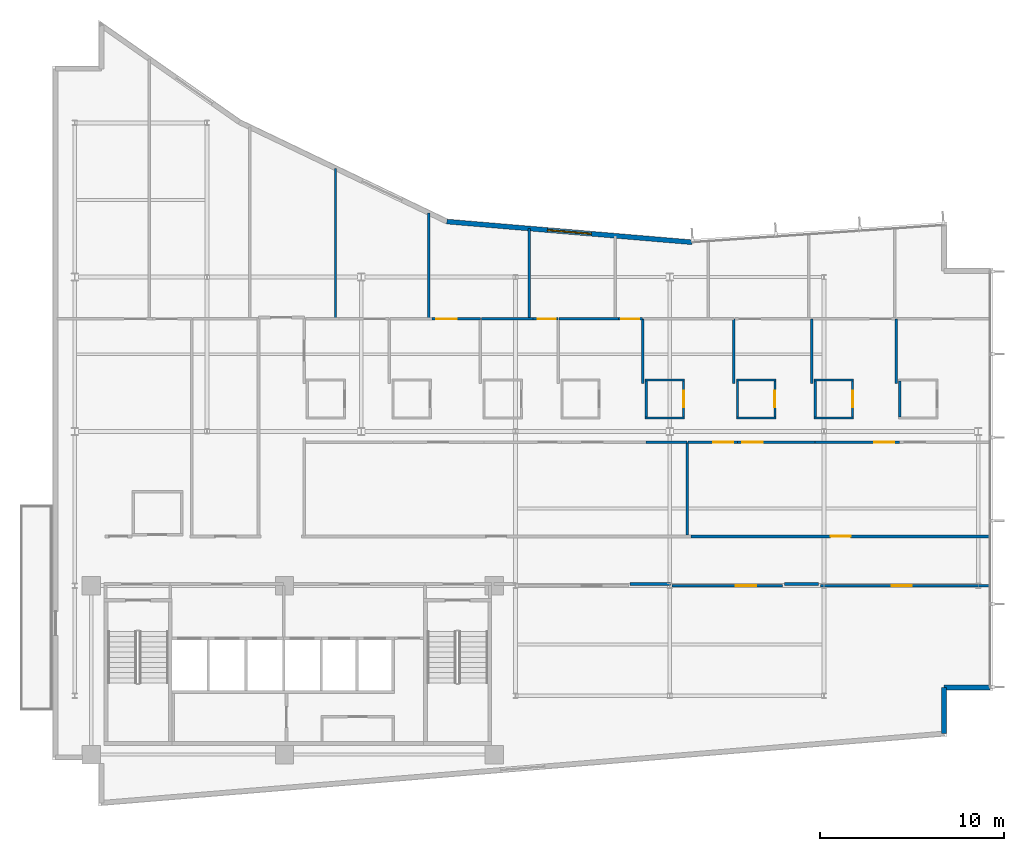
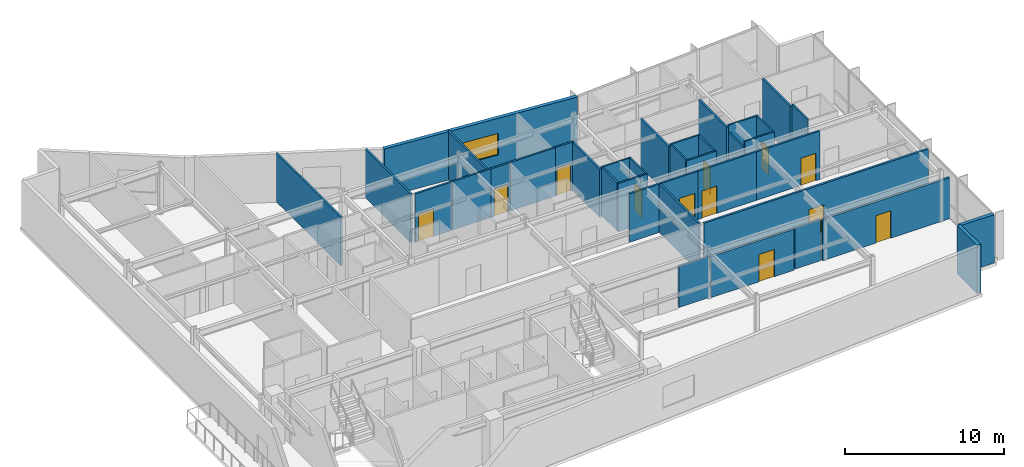
# One storey, part 13 of 17: 38 walls, 12 doors, 1 window, 13 openings.
"""IFC4 building model written with IfcOpenShell, lengths in metres."""

from ifc_helpers import new_model, si_unit, direction, frame, frame_2d, origin, place, context, subcontext, project, spatial, rectangle, extrude, material, layer, layer_set, type_object, element, fill, save


model = new_model("IFC4")

# Units and contexts
model_context = context("Model", 3, precision=1e-05, world=origin(), true_north=direction((0.0, 1.0)))
body_context = subcontext(model_context, "Body", "Model", "MODEL_VIEW")
ifc_project = project(units=[si_unit("LENGTHUNIT", "METRE"), si_unit("AREAUNIT", "SQUARE_METRE"), si_unit("VOLUMEUNIT", "CUBIC_METRE"), si_unit("PLANEANGLEUNIT", "RADIAN"), si_unit("MASSUNIT", "GRAM", prefix="KILO")], contexts=[model_context])

# Site, building, storey
site_placement = place(None, origin())
site = spatial("IfcSite", under=ifc_project, at=site_placement, CompositionType="ELEMENT")
building_placement = place(site_placement, origin())
building = spatial("IfcBuilding", under=site, at=building_placement, Name="Varnakote Quay Hospital", CompositionType="ELEMENT")
storey_placement = place(building_placement, frame((0.0, 0.0, 219.75)))
storey = spatial("IfcBuildingStorey", under=building, at=storey_placement, Name="L54", CompositionType="ELEMENT", Elevation=219.75)

# Walls
ifc_material_1 = material(Name="Fire-rated acoustic gypsum stud wall", Category="gypsum")
ifc_layer_1 = layer(ifc_material_1, 0.159912109375)
ifc_layer_set_1 = layer_set([ifc_layer_1], Name="Fire-rated acoustic gypsum stud wall")
wall_type_1 = type_object("IfcWallType", Name="WL-COMP-160", PredefinedType="PARTITIONING", material=ifc_layer_set_1)
wall_1_placement = place(storey_placement, frame((31.439208984375, 12.080078125, 0.0), z_axis=(0.0, 0.0, 1.0), x_axis=(1.0, 0.0, 0.0)))
element("IfcWall", 1, at=wall_1_placement, inside=storey, type_object=wall_type_1, Name="L54 Corridor South Gap Wall", PredefinedType="PARTITIONING", context=body_context, shape_type="SweptSolid", body=[
    extrude(rectangle(XDim=2.199462890625, YDim=0.159912109375, at=frame_2d((1.099609375, 0.0))), origin(), (0.0, 0.0, 1.0), 3.152099609375),
])
wall_2_placement = place(storey_placement, frame((39.83935546875, 12.080078125, 0.0), z_axis=(0.0, 0.0, 1.0), x_axis=(1.0, 0.0, 0.0)))
element("IfcWall", 2, at=wall_2_placement, inside=storey, type_object=wall_type_1, Name="L54 Corridor South Gap Wall", PredefinedType="PARTITIONING", context=body_context, shape_type="SweptSolid", body=[
    extrude(rectangle(XDim=1.871337890625, YDim=0.159912109375, at=frame_2d((0.935546875, 0.0))), origin(), (0.0, 0.0, 1.0), 3.152099609375),
])
ifc_material_2 = material(Name="Moisture-resistant bathroom partition", Category="gypsum")
ifc_layer_2 = layer(ifc_material_2, 0.114990234375)
ifc_layer_set_2 = layer_set([ifc_layer_2], Name="Moisture-resistant bathroom partition")
wall_type_2 = type_object("IfcWallType", Name="WL-ENS-115", PredefinedType="PARTITIONING", material=ifc_layer_set_2)
for number, where, z_axis, x_axis, name in (
    (3, (32.264892578125, 21.132568359375, 0.0), (0.0, 0.0, 1.0), (1.0, 0.0, 0.0), "L54 Inpatient En-Suite Bathroom 05 S Wall"),
    (4, (32.264892578125, 23.197509765625, 0.0), (0.0, 0.0, 1.0), (1.0, 0.0, 0.0), "L54 Inpatient En-Suite Bathroom 05 N Wall"),
):
    element("IfcWall", number, at=place(storey_placement, frame(where, z_axis=z_axis, x_axis=x_axis)), inside=storey, type_object=wall_type_2, Name=name, PredefinedType="PARTITIONING", context=body_context, shape_type="SweptSolid", body=[
        extrude(rectangle(XDim=2.150146484375, YDim=0.114990234375, at=frame_2d((1.0751953125, 0.0))), origin(), (0.0, 0.0, 1.0), 3.7099609375),
    ])
wall_3_placement = place(storey_placement, frame((32.322509765625, 21.18994140625, 0.0), z_axis=(0.0, 0.0, 1.0), x_axis=(0.0, 1.0, 0.0)))
element("IfcWall", 5, at=wall_3_placement, inside=storey, type_object=wall_type_2, Name="L54 Inpatient En-Suite Bathroom 05 W Wall", PredefinedType="PARTITIONING", context=body_context, shape_type="SweptSolid", body=[
    extrude(rectangle(XDim=1.949951171875, YDim=0.114990234375, at=frame_2d((0.97509765625, 0.0))), origin(), (0.0, 0.0, 1.0), 3.7099609375),
])

# Wall, opening, door
wall_4_placement = place(storey_placement, frame((34.357421875, 21.18994140625, 0.0), z_axis=(0.0, 0.0, 1.0), x_axis=(0.0, 1.0, 0.0)))
wall_4 = element("IfcWall", 6, at=wall_4_placement, inside=storey, type_object=wall_type_2, Name="L54 Inpatient En-Suite Bathroom 05 E Wall", PredefinedType="PARTITIONING", context=body_context, shape_type="SweptSolid", body=[
    extrude(rectangle(XDim=1.949951171875, YDim=0.114990234375, at=frame_2d((0.97509765625, 0.0))), origin(), (0.0, 0.0, 1.0), 3.7099609375),
])
opening_1_placement = place(wall_4_placement, frame((0.514892578125, 0.0, 0.0)))
opening_1 = element("IfcOpeningElement", 7, at=opening_1_placement, cuts=wall_4, Name="Opening D-L54-ENS05", PredefinedType="OPENING", context=body_context, shape_type="SweptSolid", body=[
    extrude(rectangle(XDim=0.919921875, YDim=2.10009765625, at=frame_2d((0.4599609375, 1.050048828125))), frame((0.0, 0.0673828125, 0.0), z_axis=(0.0, -1.0, 0.0), x_axis=(1.0, 0.0, 0.0)), (0.0, 0.0, 1.0), 0.135009765625),
])
ifc_material_3 = material(Name="Moisture-sealed en-suite bathroom door")
door_type_1 = type_object("IfcDoorType", Name="DR-ENS-920x2100", OperationType="NOTDEFINED", PredefinedType="DOOR", material=ifc_material_3)
door_1_placement = place(opening_1_placement, origin())
door_1 = element("IfcDoor", 8, at=door_1_placement, inside=storey, type_object=door_type_1, Name="L54 Inpatient En-Suite Bathroom 05 Door", OperationType="SINGLE_SWING_LEFT", OverallHeight=2.10009765625, OverallWidth=0.919921875, PredefinedType="DOOR", context=body_context, shape_type="SweptSolid", body=[
    extrude(rectangle(XDim=0.919921875, YDim=2.10009765625, at=frame_2d((0.4599609375, 1.050048828125))), frame((0.0, 0.02490234375, 0.0), z_axis=(0.0, -1.0, 0.0), x_axis=(1.0, 0.0, 0.0)), (0.0, 0.0, 1.0), 0.050048828125),
])
fill(opening_1, door_1)

# Walls
for number, where, z_axis, x_axis, name in (
    (9, (37.235107421875, 21.132568359375, 0.0), (0.0, 0.0, 1.0), (1.0, 0.0, 0.0), "L54 Inpatient En-Suite Bathroom 06 S Wall"),
    (10, (37.235107421875, 23.197509765625, 0.0), (0.0, 0.0, 1.0), (1.0, 0.0, 0.0), "L54 Inpatient En-Suite Bathroom 06 N Wall"),
):
    element("IfcWall", number, at=place(storey_placement, frame(where, z_axis=z_axis, x_axis=x_axis)), inside=storey, type_object=wall_type_2, Name=name, PredefinedType="PARTITIONING", context=body_context, shape_type="SweptSolid", body=[
        extrude(rectangle(XDim=2.14990234375, YDim=0.114990234375, at=frame_2d((1.074951171875, 0.0))), origin(), (0.0, 0.0, 1.0), 3.7099609375),
    ])
wall_5_placement = place(storey_placement, frame((37.29248046875, 21.18994140625, 0.0), z_axis=(0.0, 0.0, 1.0), x_axis=(0.0, 1.0, 0.0)))
element("IfcWall", 11, at=wall_5_placement, inside=storey, type_object=wall_type_2, Name="L54 Inpatient En-Suite Bathroom 06 W Wall", PredefinedType="PARTITIONING", context=body_context, shape_type="SweptSolid", body=[
    extrude(rectangle(XDim=1.949951171875, YDim=0.114990234375, at=frame_2d((0.97509765625, 0.0))), origin(), (0.0, 0.0, 1.0), 3.7099609375),
])

# Wall, opening, door
wall_6_placement = place(storey_placement, frame((39.327392578125, 21.18994140625, 0.0), z_axis=(0.0, 0.0, 1.0), x_axis=(0.0, 1.0, 0.0)))
wall_6 = element("IfcWall", 12, at=wall_6_placement, inside=storey, type_object=wall_type_2, Name="L54 Inpatient En-Suite Bathroom 06 E Wall", PredefinedType="PARTITIONING", context=body_context, shape_type="SweptSolid", body=[
    extrude(rectangle(XDim=1.949951171875, YDim=0.114990234375, at=frame_2d((0.97509765625, 0.0))), origin(), (0.0, 0.0, 1.0), 3.7099609375),
])
opening_2_placement = place(wall_6_placement, frame((0.514892578125, 0.0, 0.0)))
opening_2 = element("IfcOpeningElement", 13, at=opening_2_placement, cuts=wall_6, Name="Opening D-L54-ENS06", PredefinedType="OPENING", context=body_context, shape_type="SweptSolid", body=[
    extrude(rectangle(XDim=0.919921875, YDim=2.10009765625, at=frame_2d((0.4599609375, 1.050048828125))), frame((0.0, 0.0673828125, 0.0), z_axis=(0.0, -1.0, 0.0), x_axis=(1.0, 0.0, 0.0)), (0.0, 0.0, 1.0), 0.135009765625),
])
door_2_placement = place(opening_2_placement, origin())
door_2 = element("IfcDoor", 14, at=door_2_placement, inside=storey, type_object=door_type_1, Name="L54 Inpatient En-Suite Bathroom 06 Door", OperationType="SINGLE_SWING_RIGHT", OverallHeight=2.10009765625, OverallWidth=0.919921875, PredefinedType="DOOR", context=body_context, shape_type="SweptSolid", body=[
    extrude(rectangle(XDim=0.919921875, YDim=2.10009765625, at=frame_2d((0.4599609375, 1.050048828125))), frame((0.0, 0.02490234375, 0.0), z_axis=(0.0, -1.0, 0.0), x_axis=(1.0, 0.0, 0.0)), (0.0, 0.0, 1.0), 0.050048828125),
])
fill(opening_2, door_2)

# Walls
for number, where, z_axis, x_axis, name in (
    (15, (41.465087890625, 21.132568359375, 0.0), (0.0, 0.0, 1.0), (1.0, 0.0, 0.0), "L54 Inpatient En-Suite Bathroom 07 S Wall"),
    (16, (41.465087890625, 23.197509765625, 0.0), (0.0, 0.0, 1.0), (1.0, 0.0, 0.0), "L54 Inpatient En-Suite Bathroom 07 N Wall"),
):
    element("IfcWall", number, at=place(storey_placement, frame(where, z_axis=z_axis, x_axis=x_axis)), inside=storey, type_object=wall_type_2, Name=name, PredefinedType="PARTITIONING", context=body_context, shape_type="SweptSolid", body=[
        extrude(rectangle(XDim=2.14990234375, YDim=0.114990234375, at=frame_2d((1.074951171875, 0.0))), origin(), (0.0, 0.0, 1.0), 3.7099609375),
    ])
wall_7_placement = place(storey_placement, frame((41.5224609375, 21.18994140625, 0.0), z_axis=(0.0, 0.0, 1.0), x_axis=(0.0, 1.0, 0.0)))
element("IfcWall", 17, at=wall_7_placement, inside=storey, type_object=wall_type_2, Name="L54 Inpatient En-Suite Bathroom 07 W Wall", PredefinedType="PARTITIONING", context=body_context, shape_type="SweptSolid", body=[
    extrude(rectangle(XDim=1.949951171875, YDim=0.114990234375, at=frame_2d((0.97509765625, 0.0))), origin(), (0.0, 0.0, 1.0), 3.156982421875),
])

# Wall, opening, door
wall_8_placement = place(storey_placement, frame((43.5576171875, 21.18994140625, 0.0), z_axis=(0.0, 0.0, 1.0), x_axis=(0.0, 1.0, 0.0)))
wall_8 = element("IfcWall", 18, at=wall_8_placement, inside=storey, type_object=wall_type_2, Name="L54 Inpatient En-Suite Bathroom 07 E Wall", PredefinedType="PARTITIONING", context=body_context, shape_type="SweptSolid", body=[
    extrude(rectangle(XDim=1.949951171875, YDim=0.114990234375, at=frame_2d((0.97509765625, 0.0))), origin(), (0.0, 0.0, 1.0), 3.7099609375),
])
opening_3_placement = place(wall_8_placement, frame((0.514892578125, 0.0, 0.0)))
opening_3 = element("IfcOpeningElement", 19, at=opening_3_placement, cuts=wall_8, Name="Opening D-L54-ENS07", PredefinedType="OPENING", context=body_context, shape_type="SweptSolid", body=[
    extrude(rectangle(XDim=0.919921875, YDim=2.10009765625, at=frame_2d((0.4599609375, 1.050048828125))), frame((0.0, 0.0673828125, 0.0), z_axis=(0.0, -1.0, 0.0), x_axis=(1.0, 0.0, 0.0)), (0.0, 0.0, 1.0), 0.135009765625),
])
door_3_placement = place(opening_3_placement, origin())
door_3 = element("IfcDoor", 20, at=door_3_placement, inside=storey, type_object=door_type_1, Name="L54 Inpatient En-Suite Bathroom 07 Door", OperationType="SINGLE_SWING_LEFT", OverallHeight=2.10009765625, OverallWidth=0.919921875, PredefinedType="DOOR", context=body_context, shape_type="SweptSolid", body=[
    extrude(rectangle(XDim=0.919921875, YDim=2.10009765625, at=frame_2d((0.4599609375, 1.050048828125))), frame((0.0, 0.02490234375, 0.0), z_axis=(0.0, -1.0, 0.0), x_axis=(1.0, 0.0, 0.0)), (0.0, 0.0, 1.0), 0.050048828125),
])
fill(opening_3, door_3)

# Walls
wall_9_placement = place(storey_placement, frame((46.12255859375, 21.18994140625, 0.0), z_axis=(0.0, 0.0, 1.0), x_axis=(0.0, 1.0, 0.0)))
element("IfcWall", 21, at=wall_9_placement, inside=storey, type_object=wall_type_2, Name="L54 Inpatient En-Suite Bathroom 08 W Wall", PredefinedType="PARTITIONING", context=body_context, shape_type="SweptSolid", body=[
    extrude(rectangle(XDim=1.949951171875, YDim=0.114990234375, at=frame_2d((0.97509765625, 0.0))), origin(), (0.0, 0.0, 1.0), 3.7099609375),
])
ifc_material_4 = material(Name="Precast concrete N50 (f'c 50 MPa)", Category="concrete")
ifc_layer_3 = layer(ifc_material_4, 0.260009765625)
ifc_layer_set_3 = layer_set([ifc_layer_3], Name="Precast concrete N50 (f'c 50 MPa)")
wall_type_3 = type_object("IfcWallType", Name="WL-EXT-BRICK-260", PredefinedType="STANDARD", material=ifc_layer_set_3)
wall_10_placement = place(storey_placement, frame((48.5400390625, 3.947509765625, 0.0), z_axis=(0.0, 0.0, 1.0), x_axis=(0.0, 1.0, 0.0)))
element("IfcWall", 22, at=wall_10_placement, inside=storey, type_object=wall_type_3, Name="L54 Brick-Faced Precast Exterior Wall", PredefinedType="STANDARD", context=body_context, shape_type="SweptSolid", body=[
    extrude(rectangle(XDim=2.512451171875, YDim=0.260009765625, at=frame_2d((1.25634765625, 0.0))), origin(), (0.0, 0.0, 1.0), 3.7099609375),
])
wall_11_placement = place(storey_placement, frame((48.5400390625, 6.4599609375, 0.0), z_axis=(0.0, 0.0, 1.0), x_axis=(1.0, 0.0, 0.0)))
element("IfcWall", 23, at=wall_11_placement, inside=storey, type_object=wall_type_3, Name="L54 Brick-Faced Precast Exterior Wall", PredefinedType="STANDARD", context=body_context, shape_type="SweptSolid", body=[
    extrude(rectangle(XDim=2.5, YDim=0.260009765625, at=frame_2d((1.25, 0.0))), origin(), (0.0, 0.0, 1.0), 3.7099609375),
])

# Wall, opening, window
wall_12_placement = place(storey_placement, frame((34.814697265625, 30.695556640625, 0.0), z_axis=(0.0, 0.0, 1.0), x_axis=(-0.996454704935, 0.084130975344, 0.0)))
wall_12 = element("IfcWall", 24, at=wall_12_placement, inside=storey, type_object=wall_type_3, Name="L54 Brick-Faced Precast Exterior Wall", PredefinedType="STANDARD", context=body_context, shape_type="SweptSolid", body=[
    extrude(rectangle(XDim=13.401123046875, YDim=0.260009765625, at=frame_2d((6.70068359375, 0.0))), origin(), (0.0, 0.0, 1.0), 3.7099609375),
])
opening_4_placement = place(wall_12_placement, frame((5.50048828125, 0.0, 0.89990234375)))
opening_4 = element("IfcOpeningElement", 25, at=opening_4_placement, cuts=wall_12, Name="Opening WN-0223", PredefinedType="OPENING", context=body_context, shape_type="SweptSolid", body=[
    extrude(rectangle(XDim=2.39990234375, YDim=1.64990234375, at=frame_2d((1.199951171875, 0.824951171875))), frame((0.0, 0.139892578125, 0.0), z_axis=(0.0, -1.0, 0.0), x_axis=(1.0, 0.0, 0.0)), (0.0, 0.0, 1.0), 0.280029296875),
])
ifc_material_5 = material(Name="Double-glazed low-E solar glass", Category="glass")
window_type = type_object("IfcWindowType", Name="WIN-CLIN-2400x1650", PartitioningType="SINGLE_PANEL", PredefinedType="WINDOW", material=ifc_material_5)
window_placement = place(opening_4_placement, origin())
window = element("IfcWindow", 26, at=window_placement, inside=storey, type_object=window_type, Name="L54 Solar-Control Clinical Window", OverallHeight=1.64990234375, OverallWidth=2.39990234375, PartitioningType="SINGLE_PANEL", PredefinedType="WINDOW", context=body_context, shape_type="SweptSolid", body=[
    extrude(rectangle(XDim=2.39990234375, YDim=1.64990234375, at=frame_2d((1.199951171875, 0.824951171875))), frame((0.0, 0.030029296875, 0.0), z_axis=(0.0, -1.0, 0.0), x_axis=(1.0, 0.0, 0.0)), (0.0, 0.0, 1.0), 0.06005859375),
])
fill(opening_4, window)

# Walls
ifc_material_6 = material(Name="Smoke-proof clinical partition", Category="gypsum")
ifc_layer_4 = layer(ifc_material_6, 0.135009765625)
ifc_layer_set_4 = layer_set([ifc_layer_4], Name="Smoke-proof clinical partition")
wall_type_4 = type_object("IfcWallType", Name="WL-SMOKE-135", PredefinedType="PARTITIONING", material=ifc_layer_set_4)
wall_13_placement = place(storey_placement, frame((34.5400390625, 14.760009765625, 0.0), z_axis=(0.0, 0.0, 1.0), x_axis=(0.0, 1.0, 0.0)))
element("IfcWall", 27, at=wall_13_placement, inside=storey, type_object=wall_type_4, Name="L54 Clinical Interior Partition", PredefinedType="PARTITIONING", context=body_context, shape_type="SweptSolid", body=[
    extrude(rectangle(XDim=5.0400390625, YDim=0.135009765625, at=frame_2d((2.52001953125, 0.0))), origin(), (0.0, 0.0, 1.0), 3.7099609375),
])
wall_14_placement = place(storey_placement, frame((34.5400390625, 19.800048828125, 0.0), z_axis=(0.0, 0.0, 1.0), x_axis=(-1.0, 0.0, 0.0)))
element("IfcWall", 28, at=wall_14_placement, inside=storey, type_object=wall_type_4, Name="L54 Clinical Interior Partition", PredefinedType="PARTITIONING", context=body_context, shape_type="SweptSolid", body=[
    extrude(rectangle(XDim=2.223388671875, YDim=0.135009765625, at=frame_2d((1.11181640625, 0.0))), origin(), (0.0, 0.0, 1.0), 3.7099609375),
])

# Wall, opening, door
wall_15_placement = place(storey_placement, frame((37.28466796875, 19.800048828125, 0.0), z_axis=(0.0, 0.0, 1.0), x_axis=(-1.0, 0.0, 0.0)))
wall_15 = element("IfcWall", 29, at=wall_15_placement, inside=storey, type_object=wall_type_4, Name="L54 Clinical Interior Partition", PredefinedType="PARTITIONING", context=body_context, shape_type="SweptSolid", body=[
    extrude(rectangle(XDim=2.687255859375, YDim=0.135009765625, at=frame_2d((1.34375, 0.0))), origin(), (0.0, 0.0, 1.0), 3.7099609375),
])
opening_5_placement = place(wall_15_placement, frame((0.229736328125, 0.0, 0.0)))
opening_5 = element("IfcOpeningElement", 30, at=opening_5_placement, cuts=wall_15, Name="Opening D-L54-BR05", PredefinedType="OPENING", context=body_context, shape_type="SweptSolid", body=[
    extrude(rectangle(XDim=1.10009765625, YDim=2.10009765625, at=frame_2d((0.550048828125, 1.050048828125))), frame((0.0, 0.077392578125, 0.0), z_axis=(0.0, -1.0, 0.0), x_axis=(1.0, 0.0, 0.0)), (0.0, 0.0, 1.0), 0.155029296875),
])
ifc_material_7 = material(Name="Acoustic timber clinical consult door", Category="wood")
door_type_2 = type_object("IfcDoorType", Name="DR-CLIN-FD30S-1100x2100", OperationType="NOTDEFINED", PredefinedType="DOOR", material=ifc_material_7)
door_4_placement = place(opening_5_placement, origin())
door_4 = element("IfcDoor", 31, at=door_4_placement, inside=storey, type_object=door_type_2, Name="L54 Inpatient Clinical Treatment Room 05 Door", OperationType="SINGLE_SWING_LEFT", OverallHeight=2.10009765625, OverallWidth=1.10009765625, PredefinedType="DOOR", context=body_context, shape_type="SweptSolid", body=[
    extrude(rectangle(XDim=1.10009765625, YDim=2.10009765625, at=frame_2d((0.550048828125, 1.050048828125))), frame((0.0, 0.02490234375, 0.0), z_axis=(0.0, -1.0, 0.0), x_axis=(1.0, 0.0, 0.0)), (0.0, 0.0, 1.0), 0.050048828125),
])
fill(opening_5, door_4)

wall_16_placement = place(storey_placement, frame((41.5146484375, 19.800048828125, 0.0), z_axis=(0.0, 0.0, 1.0), x_axis=(-1.0, 0.0, 0.0)))
wall_16 = element("IfcWall", 32, at=wall_16_placement, inside=storey, type_object=wall_type_4, Name="L54 Clinical Interior Partition", PredefinedType="PARTITIONING", context=body_context, shape_type="SweptSolid", body=[
    extrude(rectangle(XDim=4.22802734375, YDim=0.135009765625, at=frame_2d((2.114013671875, 0.0))), origin(), (0.0, 0.0, 1.0), 3.7099609375),
])
opening_6_placement = place(wall_16_placement, frame((2.85986328125, 0.0, 0.0)))
opening_6 = element("IfcOpeningElement", 33, at=opening_6_placement, cuts=wall_16, Name="Opening D-L54-BR06", PredefinedType="OPENING", context=body_context, shape_type="SweptSolid", body=[
    extrude(rectangle(XDim=1.10009765625, YDim=2.10009765625, at=frame_2d((0.550048828125, 1.050048828125))), frame((0.0, 0.077392578125, 0.0), z_axis=(0.0, -1.0, 0.0), x_axis=(1.0, 0.0, 0.0)), (0.0, 0.0, 1.0), 0.155029296875),
])
door_5_placement = place(opening_6_placement, origin())
door_5 = element("IfcDoor", 34, at=door_5_placement, inside=storey, type_object=door_type_2, Name="L54 Inpatient Clinical Treatment Room 06 Door", OperationType="SINGLE_SWING_RIGHT", OverallHeight=2.10009765625, OverallWidth=1.10009765625, PredefinedType="DOOR", context=body_context, shape_type="SweptSolid", body=[
    extrude(rectangle(XDim=1.10009765625, YDim=2.10009765625, at=frame_2d((0.550048828125, 1.050048828125))), frame((0.0, 0.02490234375, 0.0), z_axis=(0.0, -1.0, 0.0), x_axis=(1.0, 0.0, 0.0)), (0.0, 0.0, 1.0), 0.050048828125),
])
fill(opening_6, door_5)

wall_17_placement = place(storey_placement, frame((46.114501953125, 19.800048828125, 0.0), z_axis=(0.0, 0.0, 1.0), x_axis=(-1.0, 0.0, 0.0)))
wall_17 = element("IfcWall", 35, at=wall_17_placement, inside=storey, type_object=wall_type_4, Name="L54 Clinical Interior Partition", PredefinedType="PARTITIONING", context=body_context, shape_type="SweptSolid", body=[
    extrude(rectangle(XDim=4.597900390625, YDim=0.135009765625, at=frame_2d((2.298828125, 0.0))), origin(), (0.0, 0.0, 1.0), 3.7099609375),
])
opening_7_placement = place(wall_17_placement, frame((0.277587890625, 0.0, 0.0)))
opening_7 = element("IfcOpeningElement", 36, at=opening_7_placement, cuts=wall_17, Name="Opening D-L54-BR07", PredefinedType="OPENING", context=body_context, shape_type="SweptSolid", body=[
    extrude(rectangle(XDim=1.10009765625, YDim=2.10009765625, at=frame_2d((0.550048828125, 1.050048828125))), frame((0.0, 0.077392578125, 0.0), z_axis=(0.0, -1.0, 0.0), x_axis=(1.0, 0.0, 0.0)), (0.0, 0.0, 1.0), 0.155029296875),
])
door_6_placement = place(opening_7_placement, origin())
door_6 = element("IfcDoor", 37, at=door_6_placement, inside=storey, type_object=door_type_2, Name="L54 Inpatient Clinical Treatment Room 07 Door", OperationType="SINGLE_SWING_LEFT", OverallHeight=2.10009765625, OverallWidth=1.10009765625, PredefinedType="DOOR", context=body_context, shape_type="SweptSolid", body=[
    extrude(rectangle(XDim=1.10009765625, YDim=2.10009765625, at=frame_2d((0.550048828125, 1.050048828125))), frame((0.0, 0.02490234375, 0.0), z_axis=(0.0, -1.0, 0.0), x_axis=(1.0, 0.0, 0.0)), (0.0, 0.0, 1.0), 0.050048828125),
])
fill(opening_7, door_6)

wall_18_placement = place(storey_placement, frame((23.2900390625, 26.52001953125, 0.0), z_axis=(0.0, 0.0, 1.0), x_axis=(-1.0, 0.0, 0.0)))
wall_18 = element("IfcWall", 38, at=wall_18_placement, inside=storey, type_object=wall_type_4, Name="L54 Clinical Interior Partition", PredefinedType="PARTITIONING", context=body_context, shape_type="SweptSolid", body=[
    extrude(rectangle(XDim=2.62353515625, YDim=0.135009765625, at=frame_2d((1.311767578125, 0.0))), origin(), (0.0, 0.0, 1.0), 3.7099609375),
])
opening_8_placement = place(wall_18_placement, frame((1.29541015625, 0.0, 0.0)))
opening_8 = element("IfcOpeningElement", 39, at=opening_8_placement, cuts=wall_18, Name="Opening D-L54-MD07", PredefinedType="OPENING", context=body_context, shape_type="SweptSolid", body=[
    extrude(rectangle(XDim=1.10009765625, YDim=2.10009765625, at=frame_2d((0.550048828125, 1.050048828125))), frame((0.0, 0.077392578125, 0.0), z_axis=(0.0, -1.0, 0.0), x_axis=(1.0, 0.0, 0.0)), (0.0, 0.0, 1.0), 0.155029296875),
])
door_7_placement = place(opening_8_placement, origin())
door_7 = element("IfcDoor", 40, at=door_7_placement, inside=storey, type_object=door_type_2, Name="L54 Preventive Cardiology Office Door", OperationType="SINGLE_SWING_RIGHT", OverallHeight=2.10009765625, OverallWidth=1.10009765625, PredefinedType="DOOR", context=body_context, shape_type="SweptSolid", body=[
    extrude(rectangle(XDim=1.10009765625, YDim=2.10009765625, at=frame_2d((0.550048828125, 1.050048828125))), frame((0.0, 0.02490234375, 0.0), z_axis=(0.0, -1.0, 0.0), x_axis=(1.0, 0.0, 0.0)), (0.0, 0.0, 1.0), 0.050048828125),
])
fill(opening_8, door_7)

# Wall
wall_19_placement = place(storey_placement, frame((26.14453125, 26.52001953125, 0.0), z_axis=(0.0, 0.0, 1.0), x_axis=(-1.0, 0.0, 0.0)))
element("IfcWall", 41, at=wall_19_placement, inside=storey, type_object=wall_type_4, Name="L54 Clinical Interior Partition", PredefinedType="PARTITIONING", context=body_context, shape_type="SweptSolid", body=[
    extrude(rectangle(XDim=2.797119140625, YDim=0.135009765625, at=frame_2d((1.3984375, 0.0))), origin(), (0.0, 0.0, 1.0), 3.7099609375),
])

# Wall, opening, door
wall_20_placement = place(storey_placement, frame((27.52001953125, 26.52001953125, 0.0), z_axis=(0.0, 0.0, 1.0), x_axis=(-1.0, 0.0, 0.0)))
wall_20 = element("IfcWall", 42, at=wall_20_placement, inside=storey, type_object=wall_type_4, Name="L54 Clinical Interior Partition", PredefinedType="PARTITIONING", context=body_context, shape_type="SweptSolid", body=[
    extrude(rectangle(XDim=1.37353515625, YDim=0.135009765625, at=frame_2d((0.686767578125, 0.0))), origin(), (0.0, 0.0, 1.0), 3.7099609375),
])
opening_9_placement = place(wall_20_placement, frame((0.1328125, 0.0, 0.0)))
opening_9 = element("IfcOpeningElement", 43, at=opening_9_placement, cuts=wall_20, Name="Opening D-L54-MD08", PredefinedType="OPENING", context=body_context, shape_type="SweptSolid", body=[
    extrude(rectangle(XDim=0.97998046875, YDim=2.10009765625, at=frame_2d((0.489990234375, 1.050048828125))), frame((0.0, 0.077392578125, 0.0), z_axis=(0.0, -1.0, 0.0), x_axis=(1.0, 0.0, 0.0)), (0.0, 0.0, 1.0), 0.155029296875),
])
ifc_material_8 = material(Name="Accessible sanitary compartment door")
door_type_3 = type_object("IfcDoorType", Name="DR-WC-980x2100", OperationType="NOTDEFINED", PredefinedType="DOOR", material=ifc_material_8)
door_8_placement = place(opening_9_placement, origin())
door_8 = element("IfcDoor", 44, at=door_8_placement, inside=storey, type_object=door_type_3, Name="L54 Patient Wellness Meeting Room Door", OperationType="SINGLE_SWING_LEFT", OverallHeight=2.10009765625, OverallWidth=0.97998046875, PredefinedType="DOOR", context=body_context, shape_type="SweptSolid", body=[
    extrude(rectangle(XDim=0.97998046875, YDim=2.10009765625, at=frame_2d((0.489990234375, 1.050048828125))), frame((0.0, 0.02490234375, 0.0), z_axis=(0.0, -1.0, 0.0), x_axis=(1.0, 0.0, 0.0)), (0.0, 0.0, 1.0), 0.050048828125),
])
fill(opening_9, door_8)

# Walls
wall_21_placement = place(storey_placement, frame((32.1201171875, 23.012451171875, 0.0), z_axis=(0.0, 0.0, 1.0), x_axis=(0.0, 1.0, 0.0)))
element("IfcWall", 45, at=wall_21_placement, inside=storey, type_object=wall_type_4, Name="L54 Clinical Interior Partition", PredefinedType="PARTITIONING", context=body_context, shape_type="SweptSolid", body=[
    extrude(rectangle(XDim=3.507568359375, YDim=0.135009765625, at=frame_2d((1.75390625, 0.0))), origin(), (0.0, 0.0, 1.0), 3.7099609375),
])
wall_22_placement = place(storey_placement, frame((30.814697265625, 26.52001953125, 0.0), z_axis=(0.0, 0.0, 1.0), x_axis=(-1.0, 0.0, 0.0)))
element("IfcWall", 46, at=wall_22_placement, inside=storey, type_object=wall_type_4, Name="L54 Clinical Interior Partition", PredefinedType="PARTITIONING", context=body_context, shape_type="SweptSolid", body=[
    extrude(rectangle(XDim=3.2373046875, YDim=0.135009765625, at=frame_2d((1.61865234375, 0.0))), origin(), (0.0, 0.0, 1.0), 3.7099609375),
])

# Wall, opening, door
wall_23_placement = place(storey_placement, frame((32.1201171875, 26.52001953125, 0.0), z_axis=(0.0, 0.0, 1.0), x_axis=(-1.0, 0.0, 0.0)))
wall_23 = element("IfcWall", 47, at=wall_23_placement, inside=storey, type_object=wall_type_4, Name="L54 Clinical Interior Partition", PredefinedType="PARTITIONING", context=body_context, shape_type="SweptSolid", body=[
    extrude(rectangle(XDim=1.303466796875, YDim=0.135009765625, at=frame_2d((0.65185546875, 0.0))), origin(), (0.0, 0.0, 1.0), 3.7099609375),
])
opening_10_placement = place(wall_23_placement, frame((0.194091796875, 0.0, 0.0)))
opening_10 = element("IfcOpeningElement", 48, at=opening_10_placement, cuts=wall_23, Name="Opening D-L54-MD09", PredefinedType="OPENING", context=body_context, shape_type="SweptSolid", body=[
    extrude(rectangle(XDim=0.97998046875, YDim=2.10009765625, at=frame_2d((0.489990234375, 1.050048828125))), frame((0.0, 0.077392578125, 0.0), z_axis=(0.0, -1.0, 0.0), x_axis=(1.0, 0.0, 0.0)), (0.0, 0.0, 1.0), 0.155029296875),
])
door_9_placement = place(opening_10_placement, origin())
door_9 = element("IfcDoor", 49, at=door_9_placement, inside=storey, type_object=door_type_3, Name="L54 Ward Clinical Consultation Office Door", OperationType="SINGLE_SWING_RIGHT", OverallHeight=2.10009765625, OverallWidth=0.97998046875, PredefinedType="DOOR", context=body_context, shape_type="SweptSolid", body=[
    extrude(rectangle(XDim=0.97998046875, YDim=2.10009765625, at=frame_2d((0.489990234375, 1.050048828125))), frame((0.0, 0.02490234375, 0.0), z_axis=(0.0, -1.0, 0.0), x_axis=(1.0, 0.0, 0.0)), (0.0, 0.0, 1.0), 0.050048828125),
])
fill(opening_10, door_9)

# Walls
for number, where, z_axis, x_axis, name in (
    (50, (37.090087890625, 23.012451171875, 0.0), (0.0, 0.0, 1.0), (0.0, 1.0, 0.0), "L54 Clinical Interior Partition"),
    (51, (41.320068359375, 23.012451171875, 0.0), (0.0, 0.0, 1.0), (0.0, 1.0, 0.0), "L54 Clinical Interior Partition"),
    (52, (45.919921875, 23.012451171875, 0.0), (0.0, 0.0, 1.0), (0.0, 1.0, 0.0), "L54 Clinical Interior Partition"),
):
    element("IfcWall", number, at=place(storey_placement, frame(where, z_axis=z_axis, x_axis=x_axis)), inside=storey, type_object=wall_type_4, Name=name, PredefinedType="PARTITIONING", context=body_context, shape_type="SweptSolid", body=[
        extrude(rectangle(XDim=3.507568359375, YDim=0.135009765625, at=frame_2d((1.75390625, 0.0))), origin(), (0.0, 0.0, 1.0), 3.7099609375),
    ])
wall_24_placement = place(storey_placement, frame((15.39990234375, 26.577392578125, 0.0), z_axis=(0.0, 0.0, 1.0), x_axis=(0.0, 1.0, 0.0)))
element("IfcWall", 53, at=wall_24_placement, inside=storey, type_object=wall_type_4, Name="L54 Clinical Interior Partition", PredefinedType="PARTITIONING", context=body_context, shape_type="SweptSolid", body=[
    extrude(rectangle(XDim=8.1494140625, YDim=0.135009765625, at=frame_2d((4.07470703125, 0.0))), origin(), (0.0, 0.0, 1.0), 3.7099609375),
])
wall_25_placement = place(storey_placement, frame((20.469970703125, 26.577392578125, 0.0), z_axis=(0.0, 0.0, 1.0), x_axis=(0.0, 1.0, 0.0)))
element("IfcWall", 54, at=wall_25_placement, inside=storey, type_object=wall_type_4, Name="L54 Clinical Interior Partition", PredefinedType="PARTITIONING", context=body_context, shape_type="SweptSolid", body=[
    extrude(rectangle(XDim=5.720458984375, YDim=0.135009765625, at=frame_2d((2.8603515625, 0.0))), origin(), (0.0, 0.0, 1.0), 3.7099609375),
])
wall_26_placement = place(storey_placement, frame((25.949951171875, 26.577392578125, 0.0), z_axis=(0.0, 0.0, 1.0), x_axis=(0.0, 1.0, 0.0)))
element("IfcWall", 55, at=wall_26_placement, inside=storey, type_object=wall_type_4, Name="L54 Clinical Interior Partition", PredefinedType="PARTITIONING", context=body_context, shape_type="SweptSolid", body=[
    extrude(rectangle(XDim=4.86669921875, YDim=0.135009765625, at=frame_2d((2.433349609375, 0.0))), origin(), (0.0, 0.0, 1.0), 3.7099609375),
])

# Wall, opening, door
ifc_material_9 = material(Name="Fire-rated clinical gypsum partition", Category="gypsum")
ifc_layer_5 = layer(ifc_material_9, 0.14990234375)
ifc_layer_set_5 = layer_set([ifc_layer_5], Name="Fire-rated clinical gypsum partition")
wall_type_5 = type_object("IfcWallType", Name="WL-WARD-150", PredefinedType="PARTITIONING", material=ifc_layer_set_5)
wall_27_placement = place(storey_placement, frame((39.75, 12.0, 0.0), z_axis=(0.0, 0.0, 1.0), x_axis=(-1.0, 0.0, 0.0)))
wall_27 = element("IfcWall", 56, at=wall_27_placement, inside=storey, type_object=wall_type_5, Name="L54 Clinical Interior Partition", PredefinedType="PARTITIONING", context=body_context, shape_type="SweptSolid", body=[
    extrude(rectangle(XDim=6.02197265625, YDim=0.14990234375, at=frame_2d((3.010986328125, 0.0))), origin(), (0.0, 0.0, 1.0), 3.152099609375),
])
opening_11_placement = place(wall_27_placement, frame((1.443603515625, 0.0, 0.0)))
opening_11 = element("IfcOpeningElement", 57, at=opening_11_placement, cuts=wall_27, Name="Opening D-L54-RM1", PredefinedType="OPENING", context=body_context, shape_type="SweptSolid", body=[
    extrude(rectangle(XDim=1.10009765625, YDim=2.10009765625, at=frame_2d((0.550048828125, 1.050048828125))), frame((0.0, 0.0849609375, 0.0), z_axis=(0.0, -1.0, 0.0), x_axis=(1.0, 0.0, 0.0)), (0.0, 0.0, 1.0), 0.169921875),
])
door_10_placement = place(opening_11_placement, origin())
door_10 = element("IfcDoor", 58, at=door_10_placement, inside=storey, type_object=door_type_2, Name="L54 Cardiac Telemetry Treatment Suite Door", OperationType="SINGLE_SWING_RIGHT", OverallHeight=2.10009765625, OverallWidth=1.10009765625, PredefinedType="DOOR", context=body_context, shape_type="SweptSolid", body=[
    extrude(rectangle(XDim=1.10009765625, YDim=2.10009765625, at=frame_2d((0.550048828125, 1.050048828125))), frame((0.0, 0.02490234375, 0.0), z_axis=(0.0, -1.0, 0.0), x_axis=(1.0, 0.0, 0.0)), (0.0, 0.0, 1.0), 0.050048828125),
])
fill(opening_11, door_10)

wall_28_placement = place(storey_placement, frame((51.0400390625, 12.0, 0.0), z_axis=(0.0, 0.0, 1.0), x_axis=(-1.0, 0.0, 0.0)))
wall_28 = element("IfcWall", 59, at=wall_28_placement, inside=storey, type_object=wall_type_5, Name="L54 Clinical Interior Partition", PredefinedType="PARTITIONING", context=body_context, shape_type="SweptSolid", body=[
    extrude(rectangle(XDim=9.239990234375, YDim=0.14990234375, at=frame_2d((4.6201171875, 0.0))), origin(), (0.0, 0.0, 1.0), 3.152099609375),
])
opening_12_placement = place(wall_28_placement, frame((4.263427734375, 0.0, 0.0)))
opening_12 = element("IfcOpeningElement", 60, at=opening_12_placement, cuts=wall_28, Name="Opening D-L54-SE1", PredefinedType="OPENING", context=body_context, shape_type="SweptSolid", body=[
    extrude(rectangle(XDim=1.10009765625, YDim=2.10009765625, at=frame_2d((0.550048828125, 1.050048828125))), frame((0.0, 0.0849609375, 0.0), z_axis=(0.0, -1.0, 0.0), x_axis=(1.0, 0.0, 0.0)), (0.0, 0.0, 1.0), 0.169921875),
])
door_11_placement = place(opening_12_placement, origin())
door_11 = element("IfcDoor", 61, at=door_11_placement, inside=storey, type_object=door_type_2, Name="L54 Clinical Biomedical Engineering Office Door", OperationType="SINGLE_SWING_LEFT", OverallHeight=2.10009765625, OverallWidth=1.10009765625, PredefinedType="DOOR", context=body_context, shape_type="SweptSolid", body=[
    extrude(rectangle(XDim=1.10009765625, YDim=2.10009765625, at=frame_2d((0.550048828125, 1.050048828125))), frame((0.0, 0.02490234375, 0.0), z_axis=(0.0, -1.0, 0.0), x_axis=(1.0, 0.0, 0.0)), (0.0, 0.0, 1.0), 0.050048828125),
])
fill(opening_12, door_11)

wall_29_placement = place(storey_placement, frame((51.0400390625, 14.679931640625, 0.0), z_axis=(0.0, 0.0, 1.0), x_axis=(-1.0, 0.0, 0.0)))
wall_29 = element("IfcWall", 62, at=wall_29_placement, inside=storey, type_object=wall_type_5, Name="L54 Clinical Interior Partition", PredefinedType="PARTITIONING", context=body_context, shape_type="SweptSolid", body=[
    extrude(rectangle(XDim=16.27197265625, YDim=0.14990234375, at=frame_2d((8.135986328125, 0.0))), origin(), (0.0, 0.0, 1.0), 3.7099609375),
])
opening_13_placement = place(wall_29_placement, frame((7.5859375, 0.0, 0.0)))
opening_13 = element("IfcOpeningElement", 63, at=opening_13_placement, cuts=wall_29, Name="Opening D-L54-MD02", PredefinedType="OPENING", context=body_context, shape_type="SweptSolid", body=[
    extrude(rectangle(XDim=1.10009765625, YDim=2.10009765625, at=frame_2d((0.550048828125, 1.050048828125))), frame((0.0, 0.0849609375, 0.0), z_axis=(0.0, -1.0, 0.0), x_axis=(1.0, 0.0, 0.0)), (0.0, 0.0, 1.0), 0.169921875),
])
door_12_placement = place(opening_13_placement, origin())
door_12 = element("IfcDoor", 64, at=door_12_placement, inside=storey, type_object=door_type_2, Name="L54 Cardiac Rehab Treatment Suite Door", OperationType="SINGLE_SWING_LEFT", OverallHeight=2.10009765625, OverallWidth=1.10009765625, PredefinedType="DOOR", context=body_context, shape_type="SweptSolid", body=[
    extrude(rectangle(XDim=1.10009765625, YDim=2.10009765625, at=frame_2d((0.550048828125, 1.050048828125))), frame((0.0, 0.02490234375, 0.0), z_axis=(0.0, -1.0, 0.0), x_axis=(1.0, 0.0, 0.0)), (0.0, 0.0, 1.0), 0.050048828125),
])
fill(opening_13, door_12)

save(model, "model.ifc")
